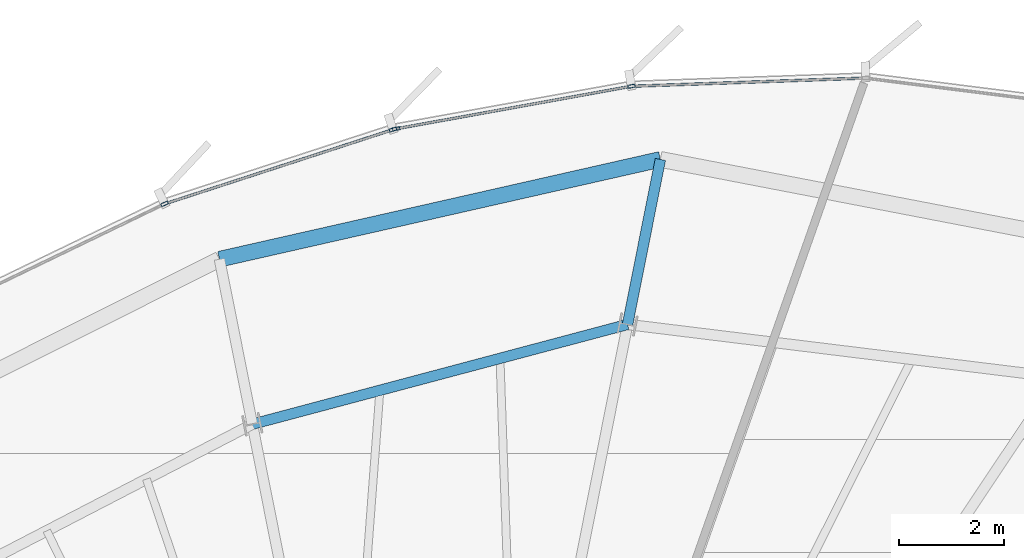
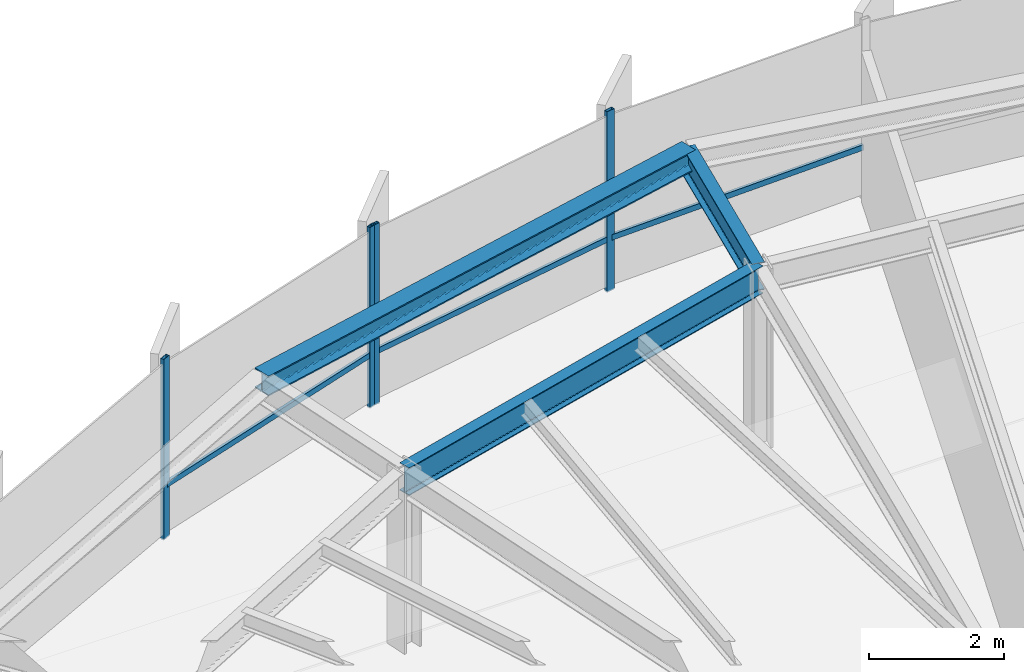
# One storey, part 23 of 34: 7 members, 3 beams, 2 elements without a shape of their own.
"""IFC4 building model written with IfcOpenShell, lengths in metres."""

from ifc_helpers import new_model, si_unit, direction, frame, origin, origin_2d, place, context, subcontext, project, spatial, hollow_rectangle, i_section, extrude, source, transform, mapped, material, layer, layer_set, material_profile, profile_set, type_object, element, aggregate, save


model = new_model("IFC4")

# Units and contexts
model_context = context("Model", 3, precision=1e-05, world=origin(), true_north=direction((0.0, 1.0)))
body_context = subcontext(model_context, "Body", "Model", "MODEL_VIEW")
ifc_project = project(units=[si_unit("LENGTHUNIT", "METRE"), si_unit("AREAUNIT", "SQUARE_METRE"), si_unit("VOLUMEUNIT", "CUBIC_METRE"), si_unit("PLANEANGLEUNIT", "RADIAN"), si_unit("MASSUNIT", "GRAM", prefix="KILO"), si_unit("THERMODYNAMICTEMPERATUREUNIT", "KELVIN")], contexts=[model_context])

# Site, building, storey
site_placement = place(None, origin())
site = spatial("IfcSite", under=ifc_project, at=site_placement, CompositionType="ELEMENT")
building_placement = place(site_placement, origin())
building = spatial("IfcBuilding", under=site, at=building_placement, Name="Kethvar Cultural Tower", CompositionType="ELEMENT")
storey_placement = place(building_placement, frame((0.0, 0.0, 186.89990234375)))
storey = spatial("IfcBuildingStorey", under=building, at=storey_placement, Name="L48", CompositionType="ELEMENT", Elevation=186.89990234375)

# Beams
ifc_material_1 = material(Name="Steel S355J2", Category="steel")
ifc_material_profile_1 = material_profile(ifc_material_1, i_section(OverallWidth=0.199951171875, OverallDepth=0.5, WebThickness=0.01025390625, FlangeThickness=0.01611328125, FilletRadius=0.02099609375, at=origin_2d()), Name="Steel S355J2 — IPE500")
ifc_profile_set_1 = profile_set([ifc_material_profile_1], Name="Steel S355J2 — IPE500")
beam_type_1 = type_object("IfcBeamType", Name="BM-IPE500", PredefinedType="BEAM", material=ifc_profile_set_1)
shared_shape_1 = source(origin(), body_context, "Body", "SweptSolid", [
    extrude(i_section(OverallWidth=0.199951171875, OverallDepth=0.5, WebThickness=0.01025390625, FlangeThickness=0.01611328125, FilletRadius=0.02099609375, at=origin_2d()), origin(), (0.0, 0.0, 1.0), 3.199951171875),
])
beam_1_placement = place(storey_placement, frame((50.556884765625, 46.6875, 3.008056640625), z_axis=(0.195088965533, 0.980785550224, 0.0), x_axis=(-0.980785550224, 0.195088965533, 0.0)))
element("IfcBeam", 1, at=beam_1_placement, inside=storey, type_object=beam_type_1, Name="L48 Perimeter Cantilever Beam RC-04", PredefinedType="BEAM", context=body_context, shape_type="MappedRepresentation", body=[
    mapped(shared_shape_1, transform((0.0, 0.0, 0.0), scale=1.0)),
])
shared_shape_2 = source(origin(), body_context, "Body", "SweptSolid", [
    extrude(i_section(OverallWidth=0.199951171875, OverallDepth=0.5, WebThickness=0.01025390625, FlangeThickness=0.01611328125, FilletRadius=0.02099609375, at=origin_2d()), origin(), (0.0, 0.0, 1.0), 7.38427734375),
])
beam_2_placement = place(storey_placement, frame((50.556884765625, 46.6875, 3.008056640625), z_axis=(-0.966396628298, -0.257055552002, 0.0), x_axis=(0.257055552002, -0.966396628298, 0.0)))
element("IfcBeam", 2, at=beam_2_placement, inside=storey, type_object=beam_type_1, Name="L48 Column Ring Tie Beam CR-04", PredefinedType="BEAM", context=body_context, shape_type="MappedRepresentation", body=[
    mapped(shared_shape_2, transform((0.0, 0.0, 0.0), scale=1.0)),
])
ifc_material_profile_2 = material_profile(ifc_material_1, i_section(OverallWidth=0.300048828125, OverallDepth=0.360107421875, WebThickness=0.012451171875, FlangeThickness=0.0224609375, FilletRadius=0.027099609375, at=origin_2d()), Name="Steel S355J2 — HEB360")
ifc_profile_set_2 = profile_set([ifc_material_profile_2], Name="Steel S355J2 — HEB360")
beam_type_2 = type_object("IfcBeamType", Name="BM-SP360", PredefinedType="SPANDREL", material=ifc_profile_set_2)
shared_shape_3 = source(origin(), body_context, "Body", "SweptSolid", [
    extrude(i_section(OverallWidth=0.300048828125, OverallDepth=0.360107421875, WebThickness=0.012451171875, FlangeThickness=0.0224609375, FilletRadius=0.027099609375, at=origin_2d()), origin(), (0.0, 0.0, 1.0), 8.596923828125),
])
beam_3_placement = place(storey_placement, frame((51.18115234375, 49.825927734375, 3.078125), z_axis=(-0.975319414912, -0.2207986388, 0.0), x_axis=(0.2207986388, -0.975319414912, 0.0)))
element("IfcBeam", 3, at=beam_3_placement, inside=storey, type_object=beam_type_2, Name="L48 Perimeter Spandrel Beam SP-04", PredefinedType="SPANDREL", context=body_context, shape_type="MappedRepresentation", body=[
    mapped(shared_shape_3, transform((0.0, 0.0, 0.0), scale=1.0)),
])

# Curtain wall, members
ifc_material_2 = material(Name="Aluminium 6063-T6", Category="aluminium")
ifc_layer = layer(ifc_material_2, 0.179931640625, Name="Aluminium 6063-T6", Category="aluminium")
ifc_layer_set = layer_set([ifc_layer], Name="Aluminium 6063-T6 (180 mm)")
curtain_wall_type = type_object("IfcCurtainWallType", Name="CW-SYS-04-Z34", PredefinedType="NOTDEFINED", material=ifc_layer_set)
curtain_wall_1_placement = place(storey_placement, origin())
curtain_wall_1 = element("IfcCurtainWall", 4, at=curtain_wall_1_placement, inside=storey, type_object=curtain_wall_type, Name="L48 Curtain Wall Run 01", PredefinedType="NOTDEFINED")
ifc_material_profile_3 = material_profile(ifc_material_2, hollow_rectangle(XDim=0.06005859375, YDim=0.139892578125, WallThickness=0.0048828125, at=origin_2d()), Name="Aluminium 6063-T6 — RHS140x60x5")
ifc_profile_set_3 = profile_set([ifc_material_profile_3], Name="Aluminium 6063-T6 — RHS140x60x5")
member_type_1 = type_object("IfcMemberType", Name="CW-SYS-04-Z34-MUL", PredefinedType="MULLION", material=ifc_profile_set_3)
shared_shape_4 = source(origin(), body_context, "Body", "SweptSolid", [
    extrude(hollow_rectangle(XDim=0.06005859375, YDim=0.139892578125, WallThickness=0.0048828125, at=origin_2d()), origin(), (0.0, 0.0, 1.0), 3.260009765625),
])
member_1_placement = place(storey_placement, frame((50.63134765625, 51.21728515625, 0.0), z_axis=(0.0, 0.0, 1.0), x_axis=(0.177943545474, -0.984040697646, 0.0)))
member_1 = element("IfcMember", 5, at=member_1_placement, type_object=member_type_1, Name="CW-L48-R01 Mullion 6", PredefinedType="MULLION", context=body_context, shape_type="MappedRepresentation", body=[
    mapped(shared_shape_4, transform((0.0, 0.0, 0.0), scale=1.0)),
])
member_2_placement = place(storey_placement, frame((46.156494140625, 50.408203125, 0.0), z_axis=(0.0, 0.0, 1.0), x_axis=(0.177943545474, -0.984040697646, 0.0)))
member_2 = element("IfcMember", 6, at=member_2_placement, type_object=member_type_1, Name="CW-L48-R01 Mullion 7", PredefinedType="MULLION", context=body_context, shape_type="MappedRepresentation", body=[
    mapped(shared_shape_4, transform((0.0, 0.0, 0.0), scale=1.0)),
])

curtain_wall_2_placement = place(storey_placement, origin())
curtain_wall_2 = element("IfcCurtainWall", 7, at=curtain_wall_2_placement, inside=storey, type_object=curtain_wall_type, Name="L48 Curtain Wall Run 02", PredefinedType="NOTDEFINED")
member_3_placement = place(storey_placement, frame((46.095703125, 50.392822265625, 0.0), z_axis=(0.0, 0.0, 1.0), x_axis=(0.309531520214, -0.950889182815, 0.0)))
member_3 = element("IfcMember", 8, at=member_3_placement, type_object=member_type_1, Name="CW-L48-R02 Mullion 1", PredefinedType="MULLION", context=body_context, shape_type="MappedRepresentation", body=[
    mapped(shared_shape_4, transform((0.0, 0.0, 0.0), scale=1.0)),
])
member_4_placement = place(storey_placement, frame((41.752197265625, 48.97998046875, 0.0), z_axis=(0.0, 0.0, 1.0), x_axis=(0.434759633927, -0.900546534449, 0.0)))
member_4 = element("IfcMember", 9, at=member_4_placement, type_object=member_type_1, Name="CW-L48-R02 Mullion 2", PredefinedType="MULLION", context=body_context, shape_type="MappedRepresentation", body=[
    mapped(shared_shape_4, transform((0.0, 0.0, 0.0), scale=1.0)),
])

# Member
ifc_material_profile_4 = material_profile(ifc_material_2, hollow_rectangle(XDim=0.050048828125, YDim=0.10009765625, WallThickness=0.00390625, at=origin_2d()), Name="Aluminium 6063-T6 — RHS100x50x4")
ifc_profile_set_4 = profile_set([ifc_material_profile_4], Name="Aluminium 6063-T6 — RHS100x50x4")
member_type_2 = type_object("IfcMemberType", Name="CW-SYS-04-Z34-TRN", PredefinedType="USERDEFINED", material=ifc_profile_set_4)
shared_shape_5 = source(origin(), body_context, "Body", "SweptSolid", [
    extrude(hollow_rectangle(XDim=0.050048828125, YDim=0.10009765625, WallThickness=0.00390625, at=origin_2d()), origin(), (0.0, 0.0, 1.0), 4.385498046875),
])
member_5_placement = place(storey_placement, frame((55.04150390625, 51.371337890625, 0.9501953125), z_axis=(-0.99938283562, -0.0351275941, 0.0), x_axis=(0.0351275941, -0.99938283562, 0.0)))
member_5 = element("IfcMember", 10, at=member_5_placement, type_object=member_type_2, Name="CW-L48-R01 Transom 5", ObjectType="TRANSOM", PredefinedType="USERDEFINED", context=body_context, shape_type="MappedRepresentation", body=[
    mapped(shared_shape_5, transform((0.0, 0.0, 0.0), scale=1.0)),
])

shared_shape_6 = source(origin(), body_context, "Body", "SweptSolid", [
    extrude(hollow_rectangle(XDim=0.050048828125, YDim=0.10009765625, WallThickness=0.00390625, at=origin_2d()), origin(), (0.0, 0.0, 1.0), 4.5),
])
member_6_placement = place(storey_placement, frame((50.5888671875, 51.209716796875, 0.9501953125), z_axis=(-0.984039602285, -0.177949602795, 0.0), x_axis=(0.177949602795, -0.984039602285, 0.0)))
member_6 = element("IfcMember", 11, at=member_6_placement, type_object=member_type_2, Name="CW-L48-R01 Transom 6", ObjectType="TRANSOM", PredefinedType="USERDEFINED", context=body_context, shape_type="MappedRepresentation", body=[
    mapped(shared_shape_6, transform((0.0, 0.0, 0.0), scale=1.0)),
])

aggregate(curtain_wall_1, [member_1, member_2, member_5, member_6])

shared_shape_7 = source(origin(), body_context, "Body", "SweptSolid", [
    extrude(hollow_rectangle(XDim=0.050048828125, YDim=0.10009765625, WallThickness=0.00390625, at=origin_2d()), origin(), (0.0, 0.0, 1.0), 4.53466796875),
])
member_7_placement = place(storey_placement, frame((46.091552734375, 50.3916015625, 0.9501953125), z_axis=(-0.950878065524, -0.309565670749, 0.0), x_axis=(0.309565670749, -0.950878065524, 0.0)))
member_7 = element("IfcMember", 12, at=member_7_placement, type_object=member_type_2, Name="CW-L48-R02 Transom 1", ObjectType="TRANSOM", PredefinedType="USERDEFINED", context=body_context, shape_type="MappedRepresentation", body=[
    mapped(shared_shape_7, transform((0.0, 0.0, 0.0), scale=1.0)),
])

aggregate(curtain_wall_2, [member_3, member_4, member_7])

save(model, "model.ifc")
